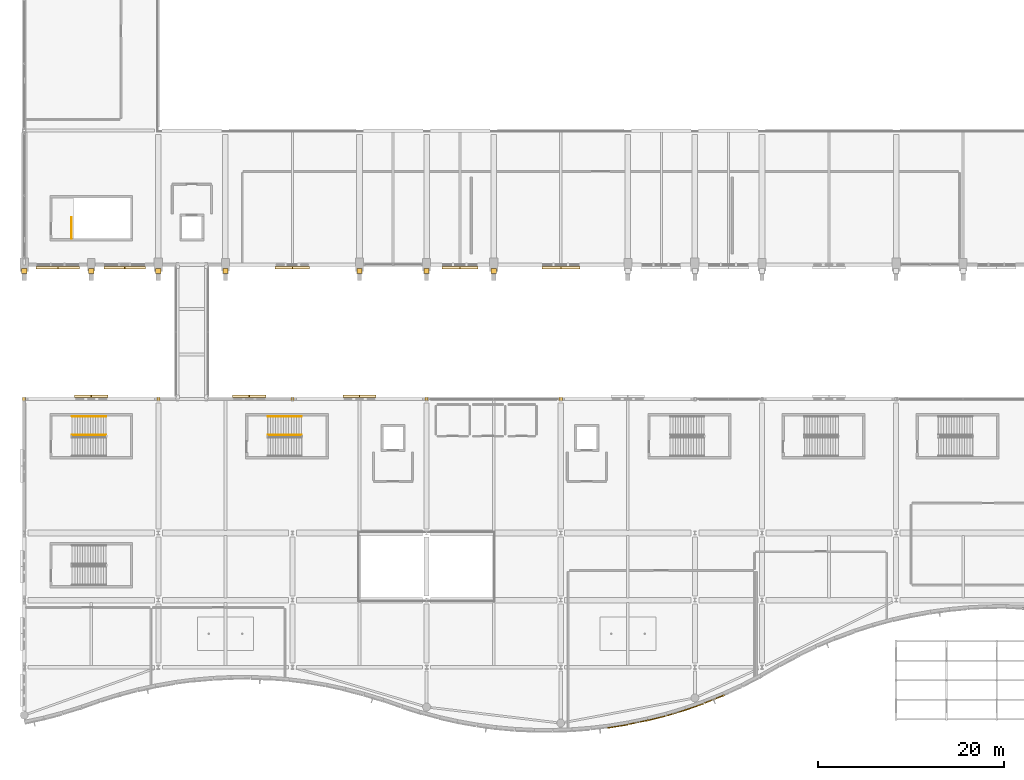
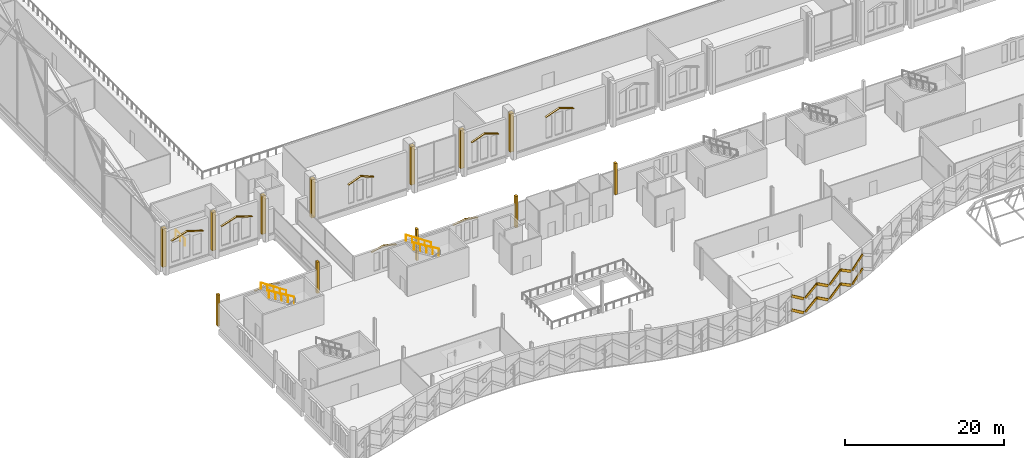
# One storey, part 196 of 220: 40 coverings, 5 railings.
"""IFC4 building model written with IfcOpenShell, lengths in metres."""

from ifc_helpers import new_model, si_unit, direction, frame, origin, origin_2d, place, context, subcontext, project, spatial, polyline, circle, outline, extrude, material, layer, layer_set, type_object, element, save


model = new_model("IFC4")

# Units and contexts
model_context = context("Model", 3, precision=1e-05, world=origin(), true_north=direction((0.0, 1.0)))
body_context = subcontext(model_context, "Body", "Model", "MODEL_VIEW")
ifc_project = project(units=[si_unit("LENGTHUNIT", "METRE"), si_unit("AREAUNIT", "SQUARE_METRE"), si_unit("VOLUMEUNIT", "CUBIC_METRE"), si_unit("PLANEANGLEUNIT", "RADIAN"), si_unit("MASSUNIT", "GRAM", prefix="KILO")], contexts=[model_context])

# Site, building, storey
site_placement = place(None, origin())
site = spatial("IfcSite", under=ifc_project, at=site_placement, CompositionType="ELEMENT")
building_placement = place(site_placement, origin())
building = spatial("IfcBuilding", under=site, at=building_placement, Name="Cendralis Lancet Convention Centre", CompositionType="ELEMENT")
storey_placement = place(building_placement, frame((0.0, 0.0, 5.39990234375)))
storey = spatial("IfcBuildingStorey", under=building, at=storey_placement, Name="L01", CompositionType="ELEMENT", Elevation=5.39990234375)

# Coverings
ifc_material_1 = material(Name="Warm buff sandstone chevron cassette", Category="masonry")
ifc_layer_1 = layer(ifc_material_1, 0.06005859375, Name="Warm buff sandstone chevron cassette")
ifc_layer_set_1 = layer_set([ifc_layer_1], Name="Warm buff sandstone chevron cassette")
covering_type_1 = type_object("IfcCoveringType", Name="ARC-CV-CLAD1", PredefinedType="CLADDING", material=ifc_layer_set_1)
covering_1_placement = place(storey_placement, frame((62.8642578125, 0.669921875, 1.9501953125), z_axis=(0.543172719336, 0.089104738228, 0.834879477885), x_axis=(0.823943529311, 0.134688046505, -0.550432730345)))
element("IfcCovering", 1, at=covering_1_placement, inside=storey, type_object=covering_type_1, Name="L01 Diagonal Stone Chevron Relief CL-ST1 #0187", PredefinedType="CLADDING", context=body_context, shape_type="SweptSolid", body=[
    extrude(outline(polyline([(0.0, 0.0), (2.3618668666557228, 4.228388472693467e-18), (2.3618151828312772, 0.11009468771215564), (-5.168382444555204e-05, 0.11009468771215564), (0.0, 0.0)])), origin(), (0.0, 0.0, -1.0), 0.360107421875),
])
covering_2_placement = place(storey_placement, frame((64.900146484375, 1.004638671875, 0.650146484375), z_axis=(-0.535516011124, -0.111717625903, 0.837103203848), x_axis=(0.819591376233, 0.170328716695, 0.547044883234)))
element("IfcCovering", 2, at=covering_2_placement, inside=storey, type_object=covering_type_1, Name="L01 Diagonal Stone Chevron Relief CL-ST1 #0193", PredefinedType="CLADDING", context=body_context, shape_type="SweptSolid", body=[
    extrude(outline(polyline([(0.0, 0.0), (2.3764939001692507, -5.1445393084437185e-17), (2.376423723765234, 0.10998390659189178), (-7.017640401671757e-05, 0.10998390659189175), (0.0, 0.0)])), origin(), (0.0, 0.0, -1.0), 0.360107421875),
])
covering_3_placement = place(storey_placement, frame((66.93701171875, 1.429931640625, 1.9501953125), z_axis=(0.526510100147, 0.133735975095, 0.839584303932), x_axis=(0.813772959225, 0.206580198374, -0.543229410539)))
element("IfcCovering", 3, at=covering_3_placement, inside=storey, type_object=covering_type_1, Name="L01 Diagonal Stone Chevron Relief CL-ST1 #0199", PredefinedType="CLADDING", context=body_context, shape_type="SweptSolid", body=[
    extrude(outline(polyline([(0.0, 0.0), (2.393185646621677, -2.6834003769016235e-18), (2.3931726456977342, 0.1100773730944064), (-1.3000923942810272e-05, 0.11007737309440638), (0.0, 0.0)])), origin(), (0.0, 0.0, -1.0), 0.360107421875),
])
covering_4_placement = place(storey_placement, frame((68.97265625, 1.94873046875, 0.650146484375), z_axis=(-0.515726631131, -0.154777749088, 0.842656448578), x_axis=(0.806951355381, 0.242692130971, 0.538451520208)))
element("IfcCovering", 4, at=covering_4_placement, inside=storey, type_object=covering_type_1, Name="L01 Diagonal Stone Chevron Relief CL-ST1 #0205", PredefinedType="CLADDING", context=body_context, shape_type="SweptSolid", body=[
    extrude(outline(polyline([(0.0, 0.0), (2.4143523621519787, -4.4181238528784306e-17), (2.414475307367854, 0.10983661618475955), (-1.4813383833359867e-05, 0.11014069893752243), (0.0, 0.0)])), origin(), (0.0, 0.0, -1.0), 0.360107421875),
])
covering_5_placement = place(storey_placement, frame((71.00830078125, 2.56298828125, 1.9501953125), z_axis=(0.502807529916, 0.176071261945, 0.846276254291), x_axis=(0.798850685672, 0.279322616905, -0.53274427044)))
element("IfcCovering", 5, at=covering_5_placement, inside=storey, type_object=covering_type_1, Name="L01 Diagonal Stone Chevron Relief CL-ST1 #0211", PredefinedType="CLADDING", context=body_context, shape_type="SweptSolid", body=[
    extrude(outline(polyline([(0.0, 0.0), (2.440320974507576, -8.00683304380545e-17), (2.4402436698248176, 0.10995164957037776), (-9.110684490151733e-06, 0.11018209786058912), (0.0, 0.0)])), origin(), (0.0, 0.0, -1.0), 0.360107421875),
])
covering_6_placement = place(storey_placement, frame((73.043701171875, 3.277099609375, 0.650146484375), z_axis=(-0.487776465358, -0.196278913006, 0.850616663458), x_axis=(0.789436902966, 0.316762179858, 0.525786171032)))
element("IfcCovering", 6, at=covering_6_placement, inside=storey, type_object=covering_type_1, Name="L01 Diagonal Stone Chevron Relief CL-ST1 #0217", PredefinedType="CLADDING", context=body_context, shape_type="SweptSolid", body=[
    extrude(outline(polyline([(0.0, 0.0), (2.4725421076503356, -5.583641188300348e-17), (2.4724886876020626, 0.10998472630370565), (-0.00013075456484028247, 0.10975817007703312), (0.0, 0.0)])), origin(), (0.0, 0.0, -1.0), 0.360107421875),
])
for number, where, z_axis, x_axis, name in (
    (7, (5.9326171875, 49.929931640625, 4.0), (0.297642981747, 0.0, 0.954677251964), (0.0, 1.0, 0.0), "L01 Gothic Pointed Lancet Hood-Mould #0049L"),
    (8, (3.6025390625, 49.929931640625, 4.72021484375), (-0.297642981747, 0.0, 0.954677251964), (0.0, 1.0, 0.0), "L01 Gothic Pointed Lancet Hood-Mould #0050R"),
):
    element("IfcCovering", number, at=place(storey_placement, frame(where, z_axis=z_axis, x_axis=x_axis)), inside=storey, type_object=covering_type_1, Name=name, PredefinedType="CLADDING", context=body_context, shape_type="SweptSolid", body=[
        extrude(outline(polyline([(0.0, 0.0), (0.28515625, 0.0), (0.28515625, 2.419727283748329), (0.0, 2.419727283748329), (0.0, 0.0)])), origin(), (0.0, 0.0, -1.0), 0.090087890625),
    ])
for number, where, z_axis, x_axis, name in (
    (9, (13.027587890625, 49.929931640625, 3.72021484375), (0.307243251239, 0.0, 0.951631012824), (0.0, 1.0, 0.0), "L01 Gothic Pointed Lancet Hood-Mould #0051L"),
    (10, (10.777587890625, 49.929931640625, 4.440185546875), (-0.307243251239, 0.0, 0.951631012824), (0.0, 1.0, 0.0), "L01 Gothic Pointed Lancet Hood-Mould #0052R"),
):
    element("IfcCovering", number, at=place(storey_placement, frame(where, z_axis=z_axis, x_axis=x_axis)), inside=storey, type_object=covering_type_1, Name=name, PredefinedType="CLADDING", context=body_context, shape_type="SweptSolid", body=[
        extrude(outline(polyline([(0.0, 0.0), (0.28515625, 0.0), (0.28515625, 2.3433247116788523), (0.0, 2.3433247116788523), (0.0, 0.0)])), origin(), (0.0, 0.0, -1.0), 0.090087890625),
    ])
covering_7_placement = place(storey_placement, frame((30.637451171875, 49.929931640625, 3.6201171875), z_axis=(0.364413326337, 0.0, 0.931237310028), x_axis=(0.0, 1.0, 0.0)))
element("IfcCovering", 11, at=covering_7_placement, inside=storey, type_object=covering_type_1, Name="L01 Gothic Pointed Lancet Hood-Mould #0053L", PredefinedType="CLADDING", context=body_context, shape_type="SweptSolid", body=[
    extrude(outline(polyline([(0.0, 0.0), (0.28515625, 0.0), (0.28515625, 1.975698063412618), (0.0, 1.975698063412618), (0.0, 0.0)])), origin(), (0.0, 0.0, -1.0), 0.090087890625),
])
covering_8_placement = place(storey_placement, frame((28.777587890625, 49.929931640625, 4.340087890625), z_axis=(-0.364371396039, 0.0, 0.931253717173), x_axis=(0.0, 1.0, 0.0)))
element("IfcCovering", 12, at=covering_8_placement, inside=storey, type_object=covering_type_1, Name="L01 Gothic Pointed Lancet Hood-Mould #0054R", PredefinedType="CLADDING", context=body_context, shape_type="SweptSolid", body=[
    extrude(outline(polyline([(0.0, 0.0), (0.28515625, 0.0), (0.28515625, 1.9759254182744521), (0.0, 1.9759254182744521), (0.0, 0.0)])), origin(), (0.0, 0.0, -1.0), 0.090087890625),
])
covering_9_placement = place(storey_placement, frame((48.737548828125, 49.929931640625, 3.8701171875), z_axis=(0.347940642978, 0.0, 0.937516564634), x_axis=(0.0, 1.0, 0.0)))
element("IfcCovering", 13, at=covering_9_placement, inside=storey, type_object=covering_type_1, Name="L01 Gothic Pointed Lancet Hood-Mould #0055L", PredefinedType="CLADDING", context=body_context, shape_type="SweptSolid", body=[
    extrude(outline(polyline([(0.0, 0.0), (0.28515625, 0.0), (0.28515625, 2.0692342721503367), (0.0, 2.0692342721503367), (0.0, 0.0)])), origin(), (0.0, 0.0, -1.0), 0.090087890625),
])
covering_10_placement = place(storey_placement, frame((46.777587890625, 49.929931640625, 4.590087890625), z_axis=(-0.347902159903, 0.0, 0.937530845964), x_axis=(0.0, 1.0, 0.0)))
element("IfcCovering", 14, at=covering_10_placement, inside=storey, type_object=covering_type_1, Name="L01 Gothic Pointed Lancet Hood-Mould #0056R", PredefinedType="CLADDING", context=body_context, shape_type="SweptSolid", body=[
    extrude(outline(polyline([(0.0, 0.0), (0.28515625, 0.0), (0.28515625, 2.0694631597737976), (0.0, 2.0694631597737976), (0.0, 0.0)])), origin(), (0.0, 0.0, -1.0), 0.090087890625),
])
for number, where, z_axis, x_axis, name in (
    (15, (59.652587890625, 49.929931640625, 3.97021484375), (0.334260457516, 0.0, 0.942480740674), (0.0, 1.0, 0.0), "L01 Gothic Pointed Lancet Hood-Mould #0057L"),
    (16, (57.6025390625, 49.929931640625, 4.690185546875), (-0.334260457516, 0.0, 0.942480740674), (0.0, 1.0, 0.0), "L01 Gothic Pointed Lancet Hood-Mould #0058R"),
):
    element("IfcCovering", number, at=place(storey_placement, frame(where, z_axis=z_axis, x_axis=x_axis)), inside=storey, type_object=covering_type_1, Name=name, PredefinedType="CLADDING", context=body_context, shape_type="SweptSolid", body=[
        extrude(outline(polyline([(0.0, 0.0), (0.28515625, 0.0), (0.28515625, 2.153921251933114), (0.0, 2.153921251933114), (0.0, 0.0)])), origin(), (0.0, 0.0, -1.0), 0.090087890625),
    ])
covering_11_placement = place(storey_placement, frame((0.0, 0.0, 0.800048828125)))
element("IfcCovering", 17, at=covering_11_placement, inside=storey, type_object=covering_type_1, Name="Gothic Stepped Stone Buttress Shaft #0001", PredefinedType="CLADDING", context=body_context, shape_type="SweptSolid", body=[
    extrude(outline(polyline([(-0.280029296875, 49.449951171875), (0.280029296875, 49.449951171875), (0.280029296875, 49.97998046875), (-0.280029296875, 49.97998046875), (-0.280029296875, 49.449951171875)])), origin(), (0.0, 0.0, 1.0), 5.900146484375),
])
covering_12_placement = place(storey_placement, frame((0.0, 0.0, 0.800048828125)))
element("IfcCovering", 18, at=covering_12_placement, inside=storey, type_object=covering_type_1, Name="Gothic Stepped Stone Buttress Shaft #0003", PredefinedType="CLADDING", context=body_context, shape_type="SweptSolid", body=[
    extrude(outline(polyline([(6.919921875, 49.449951171875), (7.47998046875, 49.449951171875), (7.47998046875, 49.97998046875), (6.919921875, 49.97998046875), (6.919921875, 49.449951171875)])), origin(), (0.0, 0.0, 1.0), 5.900146484375),
])
covering_13_placement = place(storey_placement, frame((0.0, 0.0, 0.800048828125)))
element("IfcCovering", 19, at=covering_13_placement, inside=storey, type_object=covering_type_1, Name="Gothic Stepped Stone Buttress Shaft #0005", PredefinedType="CLADDING", context=body_context, shape_type="SweptSolid", body=[
    extrude(outline(polyline([(14.1201171875, 49.449951171875), (14.679931640625, 49.449951171875), (14.679931640625, 49.97998046875), (14.1201171875, 49.97998046875), (14.1201171875, 49.449951171875)])), origin(), (0.0, 0.0, 1.0), 5.900146484375),
])
covering_14_placement = place(storey_placement, frame((0.0, 0.0, 0.800048828125)))
element("IfcCovering", 20, at=covering_14_placement, inside=storey, type_object=covering_type_1, Name="Gothic Stepped Stone Buttress Shaft #0007", PredefinedType="CLADDING", context=body_context, shape_type="SweptSolid", body=[
    extrude(outline(polyline([(21.320068359375, 49.449951171875), (21.8798828125, 49.449951171875), (21.8798828125, 49.97998046875), (21.320068359375, 49.97998046875), (21.320068359375, 49.449951171875)])), origin(), (0.0, 0.0, 1.0), 5.900146484375),
])
covering_15_placement = place(storey_placement, frame((0.0, 0.0, 0.800048828125)))
element("IfcCovering", 21, at=covering_15_placement, inside=storey, type_object=covering_type_1, Name="Gothic Stepped Stone Buttress Shaft #0009", PredefinedType="CLADDING", context=body_context, shape_type="SweptSolid", body=[
    extrude(outline(polyline([(35.719970703125, 49.449951171875), (36.280029296875, 49.449951171875), (36.280029296875, 49.97998046875), (35.719970703125, 49.97998046875), (35.719970703125, 49.449951171875)])), origin(), (0.0, 0.0, 1.0), 5.900146484375),
])
covering_16_placement = place(storey_placement, frame((0.0, 0.0, 0.800048828125)))
element("IfcCovering", 22, at=covering_16_placement, inside=storey, type_object=covering_type_1, Name="Gothic Stepped Stone Buttress Shaft #0011", PredefinedType="CLADDING", context=body_context, shape_type="SweptSolid", body=[
    extrude(outline(polyline([(42.919921875, 49.449951171875), (43.47998046875, 49.449951171875), (43.47998046875, 49.97998046875), (42.919921875, 49.97998046875), (42.919921875, 49.449951171875)])), origin(), (0.0, 0.0, 1.0), 5.900146484375),
])
covering_17_placement = place(storey_placement, frame((0.0, 0.0, 0.800048828125)))
element("IfcCovering", 23, at=covering_17_placement, inside=storey, type_object=covering_type_1, Name="Gothic Stepped Stone Buttress Shaft #0013", PredefinedType="CLADDING", context=body_context, shape_type="SweptSolid", body=[
    extrude(outline(polyline([(50.1201171875, 49.449951171875), (50.679931640625, 49.449951171875), (50.679931640625, 49.97998046875), (50.1201171875, 49.97998046875), (50.1201171875, 49.449951171875)])), origin(), (0.0, 0.0, 1.0), 5.900146484375),
])
for number, where, z_axis, x_axis, name in (
    (24, (5.39990234375, 36.419921875, 3.27001953125), (-0.157318064483, 0.0, 0.987547986979), (0.0, -1.0, 0.0), "L01 Gothic Pointed Lancet Hood-Mould #0239L"),
    (25, (7.2099609375, 36.419921875, 3.55517578125), (0.157318064483, 0.0, 0.987547986979), (0.0, -1.0, 0.0), "L01 Gothic Pointed Lancet Hood-Mould #0240R"),
):
    element("IfcCovering", number, at=place(storey_placement, frame(where, z_axis=z_axis, x_axis=x_axis)), inside=storey, type_object=covering_type_1, Name=name, PredefinedType="CLADDING", context=body_context, shape_type="SweptSolid", body=[
        extrude(outline(polyline([(0.0, 0.0), (0.284912109375, 0.0), (0.284912109375, 1.812609702111831), (0.0, 1.812609702111831), (0.0, 0.0)])), origin(), (0.0, 0.0, -1.0), 0.090087890625),
    ])
covering_18_placement = place(storey_placement, frame((22.361083984375, 36.419921875, 3.27001953125), z_axis=(-0.210303141068, 0.0, 0.977636225217), x_axis=(0.0, -1.0, 0.0)))
element("IfcCovering", 26, at=covering_18_placement, inside=storey, type_object=covering_type_1, Name="L01 Gothic Pointed Lancet Hood-Mould #0241L", PredefinedType="CLADDING", context=body_context, shape_type="SweptSolid", body=[
    extrude(outline(polyline([(0.0, 0.0), (0.284912109375, 0.0), (0.284912109375, 1.8307371143875775), (0.0, 1.8307371143875775), (0.0, 0.0)])), origin(), (0.0, 0.0, -1.0), 0.090087890625),
])
covering_19_placement = place(storey_placement, frame((24.1708984375, 36.419921875, 3.655029296875), z_axis=(0.210275726475, 0.0, 0.977642122075), x_axis=(0.0, -1.0, 0.0)))
element("IfcCovering", 27, at=covering_19_placement, inside=storey, type_object=covering_type_1, Name="L01 Gothic Pointed Lancet Hood-Mould #0242R", PredefinedType="CLADDING", context=body_context, shape_type="SweptSolid", body=[
    extrude(outline(polyline([(0.0, 0.0), (0.284912109375, 0.0), (0.284912109375, 1.830975795826503), (0.0, 1.830975795826503), (0.0, 0.0)])), origin(), (0.0, 0.0, -1.0), 0.090087890625),
])
for number, where, z_axis, x_axis, name in (
    (28, (34.239990234375, 36.419921875, 3.27001953125), (-0.160825335847, 0.0, 0.986982883007), (0.0, -1.0, 0.0), "L01 Gothic Pointed Lancet Hood-Mould #0243L"),
    (29, (36.010009765625, 36.419921875, 3.55517578125), (0.160825335847, 0.0, 0.986982883007), (0.0, -1.0, 0.0), "L01 Gothic Pointed Lancet Hood-Mould #0244R"),
):
    element("IfcCovering", number, at=place(storey_placement, frame(where, z_axis=z_axis, x_axis=x_axis)), inside=storey, type_object=covering_type_1, Name=name, PredefinedType="CLADDING", context=body_context, shape_type="SweptSolid", body=[
        extrude(outline(polyline([(0.0, 0.0), (0.284912109375, 0.0), (0.284912109375, 1.7730803949381602), (0.0, 1.7730803949381602), (0.0, 0.0)])), origin(), (0.0, 0.0, -1.0), 0.090087890625),
    ])
covering_20_placement = place(storey_placement, origin())
element("IfcCovering", 30, at=covering_20_placement, inside=storey, type_object=covering_type_1, Name="Exterior Column Stone Fire-Casing L01 #004", PredefinedType="CLADDING", context=body_context, shape_type="SweptSolid", body=[
    extrude(outline(polyline([(-0.162109375, 35.7880859375), (0.162109375, 35.7880859375), (0.162109375, 36.2119140625), (-0.162109375, 36.2119140625), (-0.162109375, 35.7880859375)])), origin(), (0.0, 0.0, 1.0), 4.800048828125),
])
covering_21_placement = place(storey_placement, origin())
element("IfcCovering", 31, at=covering_21_placement, inside=storey, type_object=covering_type_1, Name="Exterior Column Stone Fire-Casing L01 #005", PredefinedType="CLADDING", context=body_context, shape_type="SweptSolid", body=[
    extrude(outline(polyline([(14.238037109375, 35.7880859375), (14.56201171875, 35.7880859375), (14.56201171875, 36.2119140625), (14.238037109375, 36.2119140625), (14.238037109375, 35.7880859375)])), origin(), (0.0, 0.0, 1.0), 4.800048828125),
])
covering_22_placement = place(storey_placement, origin())
element("IfcCovering", 32, at=covering_22_placement, inside=storey, type_object=covering_type_1, Name="Exterior Column Stone Fire-Casing L01 #006", PredefinedType="CLADDING", context=body_context, shape_type="SweptSolid", body=[
    extrude(outline(polyline([(28.637939453125, 35.7880859375), (28.9619140625, 35.7880859375), (28.9619140625, 36.2119140625), (28.637939453125, 36.2119140625), (28.637939453125, 35.7880859375)])), origin(), (0.0, 0.0, 1.0), 4.800048828125),
])
covering_23_placement = place(storey_placement, origin())
element("IfcCovering", 33, at=covering_23_placement, inside=storey, type_object=covering_type_1, Name="Exterior Column Stone Fire-Casing L01 #007", PredefinedType="CLADDING", context=body_context, shape_type="SweptSolid", body=[
    extrude(outline(polyline([(43.0380859375, 35.7880859375), (43.362060546875, 35.7880859375), (43.362060546875, 36.2119140625), (43.0380859375, 36.2119140625), (43.0380859375, 35.7880859375)])), origin(), (0.0, 0.0, 1.0), 4.800048828125),
])
covering_24_placement = place(storey_placement, origin())
element("IfcCovering", 34, at=covering_24_placement, inside=storey, type_object=covering_type_1, Name="Exterior Column Stone Fire-Casing L01 #008", PredefinedType="CLADDING", context=body_context, shape_type="SweptSolid", body=[
    extrude(outline(polyline([(57.43798828125, 35.7880859375), (57.761962890625, 35.7880859375), (57.761962890625, 36.2119140625), (57.43798828125, 36.2119140625), (57.43798828125, 35.7880859375)])), origin(), (0.0, 0.0, 1.0), 4.800048828125),
])
ifc_material_2 = material(Name="Dark Andean slate chevron cassette", Category="masonry")
ifc_layer_2 = layer(ifc_material_2, 0.06005859375, Name="Dark Andean slate chevron cassette")
ifc_layer_set_2 = layer_set([ifc_layer_2], Name="Dark Andean slate chevron cassette")
covering_type_2 = type_object("IfcCoveringType", Name="ARC-CV-CLAD2", PredefinedType="CLADDING", material=ifc_layer_set_2)
covering_25_placement = place(storey_placement, frame((62.8642578125, 0.669921875, 4.10009765625), z_axis=(0.543172719336, 0.089104738228, 0.834879477885), x_axis=(0.823943529311, 0.134688046505, -0.550432730345)))
element("IfcCovering", 35, at=covering_25_placement, inside=storey, type_object=covering_type_2, Name="L01 Diagonal Stone Chevron Relief CL-ST2 #0188", PredefinedType="CLADDING", context=body_context, shape_type="SweptSolid", body=[
    extrude(outline(polyline([(0.0, 0.0), (2.3618668666557228, 4.228388472693467e-18), (2.3618151828312772, 0.11009468771215564), (-5.168382444555204e-05, 0.11009468771215564), (0.0, 0.0)])), origin(), (0.0, 0.0, -1.0), 0.360107421875),
])
covering_26_placement = place(storey_placement, frame((64.900146484375, 1.004638671875, 2.800048828125), z_axis=(-0.535516011124, -0.111717625903, 0.837103203848), x_axis=(0.819591376233, 0.170328716695, 0.547044883234)))
element("IfcCovering", 36, at=covering_26_placement, inside=storey, type_object=covering_type_2, Name="L01 Diagonal Stone Chevron Relief CL-ST2 #0194", PredefinedType="CLADDING", context=body_context, shape_type="SweptSolid", body=[
    extrude(outline(polyline([(0.0, 0.0), (2.3764939001692507, -5.1445393084437185e-17), (2.376423723765234, 0.10998390659189178), (-7.017640401671757e-05, 0.10998390659189175), (0.0, 0.0)])), origin(), (0.0, 0.0, -1.0), 0.360107421875),
])
covering_27_placement = place(storey_placement, frame((66.93701171875, 1.429931640625, 4.10009765625), z_axis=(0.526510100147, 0.133735975095, 0.839584303932), x_axis=(0.813772959225, 0.206580198374, -0.543229410539)))
element("IfcCovering", 37, at=covering_27_placement, inside=storey, type_object=covering_type_2, Name="L01 Diagonal Stone Chevron Relief CL-ST2 #0200", PredefinedType="CLADDING", context=body_context, shape_type="SweptSolid", body=[
    extrude(outline(polyline([(0.0, 0.0), (2.393185646621677, -2.6834003769016235e-18), (2.3931726456977342, 0.1100773730944064), (-1.3000923942810272e-05, 0.11007737309440638), (0.0, 0.0)])), origin(), (0.0, 0.0, -1.0), 0.360107421875),
])
covering_28_placement = place(storey_placement, frame((68.97265625, 1.94873046875, 2.800048828125), z_axis=(-0.515726631131, -0.154777749088, 0.842656448578), x_axis=(0.806951355381, 0.242692130971, 0.538451520208)))
element("IfcCovering", 38, at=covering_28_placement, inside=storey, type_object=covering_type_2, Name="L01 Diagonal Stone Chevron Relief CL-ST2 #0206", PredefinedType="CLADDING", context=body_context, shape_type="SweptSolid", body=[
    extrude(outline(polyline([(0.0, 0.0), (2.4143523621519787, -4.4181238528784306e-17), (2.414475307367854, 0.10983661618475955), (-1.4813383833359867e-05, 0.11014069893752243), (0.0, 0.0)])), origin(), (0.0, 0.0, -1.0), 0.360107421875),
])
covering_29_placement = place(storey_placement, frame((71.00830078125, 2.56298828125, 4.10009765625), z_axis=(0.502807529916, 0.176071261945, 0.846276254291), x_axis=(0.798850685672, 0.279322616905, -0.53274427044)))
element("IfcCovering", 39, at=covering_29_placement, inside=storey, type_object=covering_type_2, Name="L01 Diagonal Stone Chevron Relief CL-ST2 #0212", PredefinedType="CLADDING", context=body_context, shape_type="SweptSolid", body=[
    extrude(outline(polyline([(0.0, 0.0), (2.440320974507576, -8.00683304380545e-17), (2.4402436698248176, 0.10995164957037776), (-9.110684490151733e-06, 0.11018209786058912), (0.0, 0.0)])), origin(), (0.0, 0.0, -1.0), 0.360107421875),
])
covering_30_placement = place(storey_placement, frame((73.043701171875, 3.277099609375, 2.800048828125), z_axis=(-0.487776465358, -0.196278913006, 0.850616663458), x_axis=(0.789436902966, 0.316762179858, 0.525786171032)))
element("IfcCovering", 40, at=covering_30_placement, inside=storey, type_object=covering_type_2, Name="L01 Diagonal Stone Chevron Relief CL-ST2 #0218", PredefinedType="CLADDING", context=body_context, shape_type="SweptSolid", body=[
    extrude(outline(polyline([(0.0, 0.0), (2.4725421076503356, -5.583641188300348e-17), (2.4724886876020626, 0.10998472630370565), (-0.00013075456484028247, 0.10975817007703312), (0.0, 0.0)])), origin(), (0.0, 0.0, -1.0), 0.360107421875),
])

# Railings
ifc_material_3 = material(Name="Steel S355", Category="steel")
railing_type_1 = type_object("IfcRailingType", Name="ARC-RL-CGD", PredefinedType="GUARDRAIL", material=ifc_material_3)
railing_placement = place(storey_placement, frame((5.10009765625, 53.199951171875, 0.0)))
element("IfcRailing", 41, at=railing_placement, inside=storey, type_object=railing_type_1, Name="L01 ST-01 top well guard 1", PredefinedType="GUARDRAIL", context=body_context, shape_type="SweptSolid", body=[
    extrude(circle(Radius=0.02392578125, at=origin_2d()), frame((0.0, 0.0, 1.076171875), z_axis=(0.0, 1.0, 0.0), x_axis=(-1.0, 0.0, 0.0)), (0.0, 0.0, 1.0), 2.280029296875),
    extrude(circle(Radius=0.02099609375, at=origin_2d()), origin(), (0.0, 0.0, 1.0), 1.052001953125),
    extrude(circle(Radius=0.02099609375, at=origin_2d()), frame((0.0, 1.14013671875, 0.0)), (0.0, 0.0, 1.0), 1.052001953125),
    extrude(circle(Radius=0.02099609375, at=origin_2d()), frame((0.0, 2.280029296875, 0.0)), (0.0, 0.0, 1.0), 1.052001953125),
])
for number, where, name in (
    (42, (29.7900390625, 32.1298828125, 2.571533203125), "L01 ST-11 stair guard 3"),
    (43, (8.7900390625, 32.1298828125, 2.571533203125), "L01 ST-20 stair guard 3"),
):
    element("IfcRailing", number, at=place(storey_placement, frame(where)), inside=storey, type_object=railing_type_1, Name=name, PredefinedType="GUARDRAIL", context=body_context, shape_type="SweptSolid", body=[
        extrude(circle(Radius=0.02392578125, at=origin_2d()), frame((0.0, 0.0, 1.076171875), z_axis=(-0.852865859571, 0.0, 0.52213008492), x_axis=(0.0, -1.0, 0.0)), (0.0, 0.0, 1.0), 4.26806640625),
        extrude(circle(Radius=0.02099609375, at=origin_2d()), origin(), (0.0, 0.0, 1.0), 1.052001953125),
        extrude(circle(Radius=0.02099609375, at=origin_2d()), frame((-0.91015625, 0.0, 0.55712890625)), (0.0, 0.0, 1.0), 1.052001953125),
        extrude(circle(Radius=0.02099609375, at=origin_2d()), frame((-1.820068359375, 0.0, 1.1142578125)), (0.0, 0.0, 1.0), 1.052001953125),
        extrude(circle(Radius=0.02099609375, at=origin_2d()), frame((-2.72998046875, 0.0, 1.67138671875)), (0.0, 0.0, 1.0), 1.052001953125),
        extrude(circle(Radius=0.02099609375, at=origin_2d()), frame((-3.64013671875, 0.0, 2.228515625)), (0.0, 0.0, 1.0), 1.052001953125),
    ])
railing_type_2 = type_object("IfcRailingType", Name="ARC-RL-CHR", PredefinedType="HANDRAIL", material=ifc_material_3)
for number, where, name in (
    (44, (29.7900390625, 34.1298828125, 2.571533203125), "L01 ST-11 stair handrail 2"),
    (45, (8.7900390625, 34.1298828125, 2.571533203125), "L01 ST-20 stair handrail 2"),
):
    element("IfcRailing", number, at=place(storey_placement, frame(where)), inside=storey, type_object=railing_type_2, Name=name, PredefinedType="HANDRAIL", context=body_context, shape_type="SweptSolid", body=[
        extrude(circle(Radius=0.02392578125, at=origin_2d()), frame((0.0, 0.0, 0.8759765625), z_axis=(-0.83488217925, 0.0, 0.55042869363), x_axis=(0.0, -1.0, 0.0)), (0.0, 0.0, 1.0), 4.360107421875),
        extrude(circle(Radius=0.02099609375, at=origin_2d()), origin(), (0.0, 0.0, 1.0), 0.851806640625),
        extrude(circle(Radius=0.02099609375, at=origin_2d()), frame((-0.91015625, 0.0, 0.60009765625)), (0.0, 0.0, 1.0), 0.851806640625),
        extrude(circle(Radius=0.02099609375, at=origin_2d()), frame((-1.820068359375, 0.0, 1.199951171875)), (0.0, 0.0, 1.0), 0.851806640625),
        extrude(circle(Radius=0.02099609375, at=origin_2d()), frame((-2.72998046875, 0.0, 1.7998046875)), (0.0, 0.0, 1.0), 0.851806640625),
        extrude(circle(Radius=0.02099609375, at=origin_2d()), frame((-3.64013671875, 0.0, 2.39990234375)), (0.0, 0.0, 1.0), 0.851806640625),
    ])

save(model, "model.ifc")
